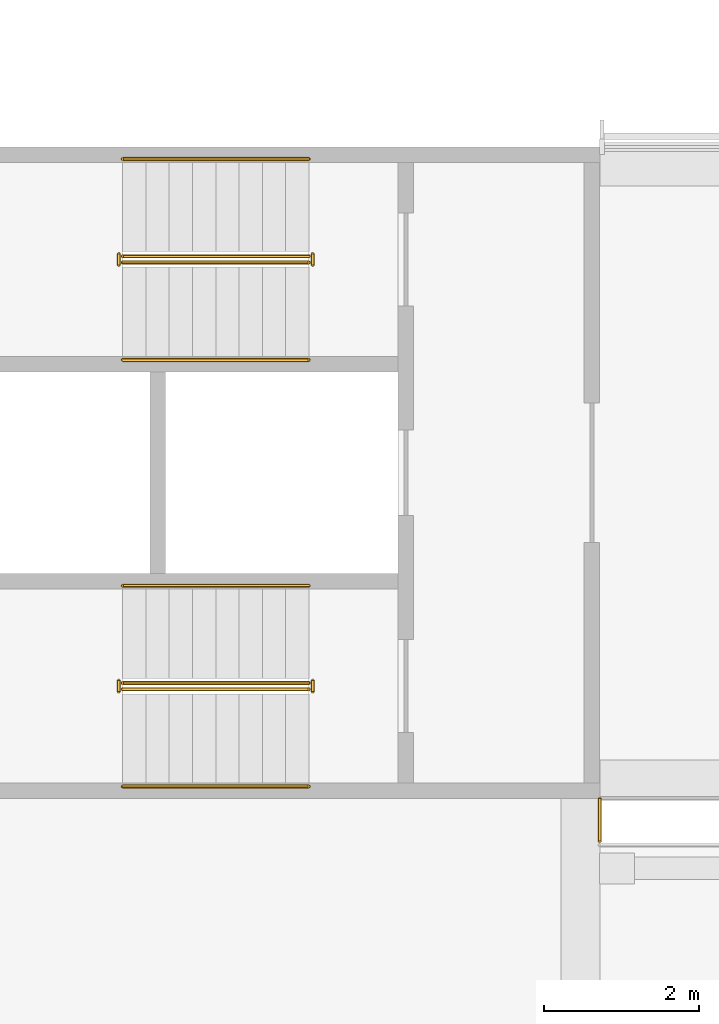
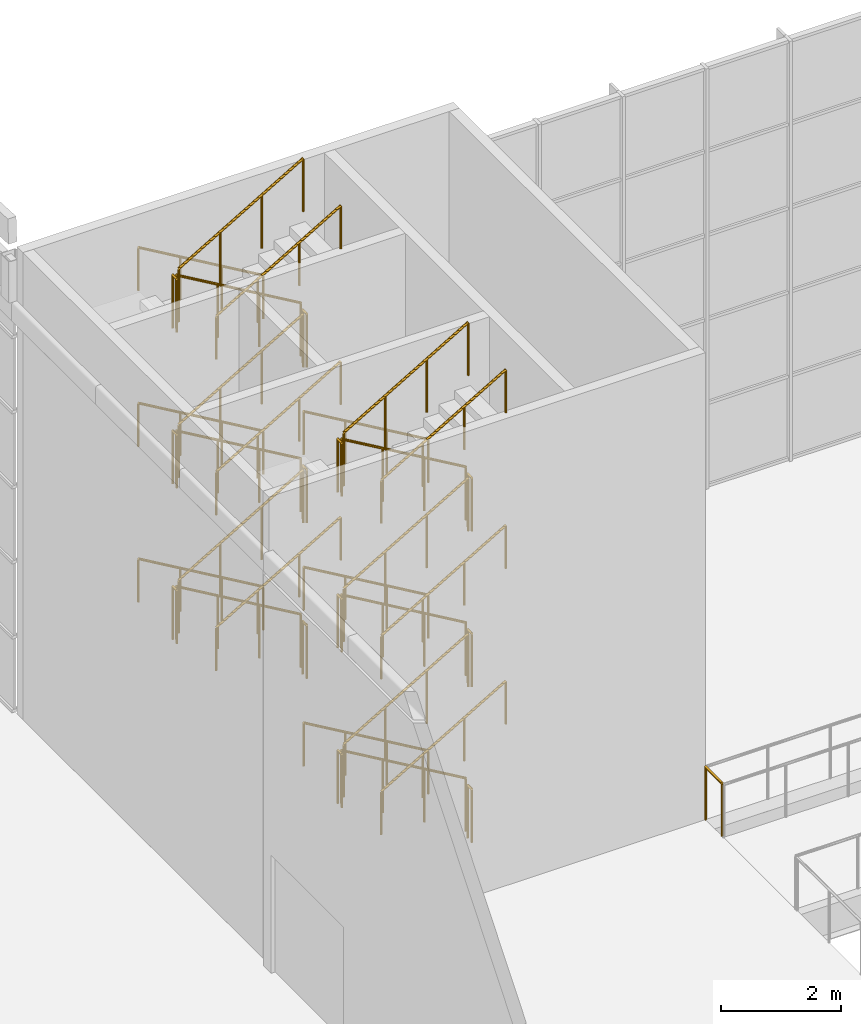
# One storey, part 104 of 114: 37 railings.
"""IFC4 building model written with IfcOpenShell, lengths in metres."""

from ifc_helpers import new_model, si_unit, direction, frame, origin, origin_2d, place, context, subcontext, project, spatial, circle, extrude, material, type_object, element, save


model = new_model("IFC4")

# Units and contexts
model_context = context("Model", 3, precision=1e-05, world=origin(), true_north=direction((0.0, 1.0)))
body_context = subcontext(model_context, "Body", "Model", "MODEL_VIEW")
ifc_project = project(units=[si_unit("LENGTHUNIT", "METRE"), si_unit("AREAUNIT", "SQUARE_METRE"), si_unit("VOLUMEUNIT", "CUBIC_METRE"), si_unit("PLANEANGLEUNIT", "RADIAN"), si_unit("MASSUNIT", "GRAM", prefix="KILO")], contexts=[model_context])

# Site, building, storey
site_placement = place(None, origin())
site = spatial("IfcSite", under=ifc_project, at=site_placement, CompositionType="ELEMENT")
building_placement = place(site_placement, origin())
building = spatial("IfcBuilding", under=site, at=building_placement, Name="Almond Square Museum", CompositionType="ELEMENT")
storey_placement = place(building_placement, frame((0.0, 0.0, 10.5)))
storey = spatial("IfcBuildingStorey", under=building, at=storey_placement, Name="L02", CompositionType="ELEMENT", Elevation=10.5)

# Railings
ifc_material_1 = material(Name="Laminated glass and stainless steel", Category="steel")
railing_type_1 = type_object("IfcRailingType", Name="Atrium guard 1100 glass balustrade", PredefinedType="GUARDRAIL", material=ifc_material_1)
railing_1_placement = place(storey_placement, frame((81.60009765625, 100.25, 0.0)))
element("IfcRailing", 1, at=railing_1_placement, inside=storey, type_object=railing_type_1, Name="L02 atrium guard 4", PredefinedType="GUARDRAIL", context=body_context, shape_type="SweptSolid", body=[
    extrude(circle(Radius=0.02392578125, at=origin_2d()), frame((0.0, 0.0, 1.076171875), z_axis=(0.0, 1.0, 0.0), x_axis=(-1.0, 0.0, 0.0)), (0.0, 0.0, 1.0), 0.550048828125),
    extrude(circle(Radius=0.02099609375, at=origin_2d()), origin(), (0.0, 0.0, 1.0), 1.052001953125),
    extrude(circle(Radius=0.02099609375, at=origin_2d()), frame((0.0, 0.550048828125, 0.0)), (0.0, 0.0, 1.0), 1.052001953125),
])
ifc_material_2 = material(Name="Stainless steel and laminated glass", Category="steel")
railing_type_2 = type_object("IfcRailingType", Name="Stair guard 1100 steel and glass", PredefinedType="GUARDRAIL", material=ifc_material_2)
railing_2_placement = place(storey_placement, frame((77.85009765625, 102.2900390625, 0.176025390625)))
element("IfcRailing", 2, at=railing_2_placement, inside=storey, type_object=railing_type_2, Name="L02 ST-09 stair guard 1", PredefinedType="GUARDRAIL", context=body_context, shape_type="SweptSolid", body=[
    extrude(circle(Radius=0.02392578125, at=origin_2d()), frame((0.0, 0.0, 1.076171875), z_axis=(-0.862659684245, 0.0, 0.505784805207), x_axis=(0.0, -1.0, 0.0)), (0.0, 0.0, 1.0), 2.7822265625),
    extrude(circle(Radius=0.02099609375, at=origin_2d()), origin(), (0.0, 0.0, 1.0), 1.052001953125),
    extrude(circle(Radius=0.02099609375, at=origin_2d()), frame((-0.800048828125, 0.0, 0.468994140625)), (0.0, 0.0, 1.0), 1.052001953125),
    extrude(circle(Radius=0.02099609375, at=origin_2d()), frame((-1.60009765625, 0.0, 0.938232421875)), (0.0, 0.0, 1.0), 1.052001953125),
    extrude(circle(Radius=0.02099609375, at=origin_2d()), frame((-2.400146484375, 0.0, 1.4072265625)), (0.0, 0.0, 1.0), 1.052001953125),
])
railing_3_placement = place(storey_placement, frame((75.39990234375, 102.320068359375, 1.583251953125)))
element("IfcRailing", 3, at=railing_3_placement, inside=storey, type_object=railing_type_2, Name="L02 ST-09 stair guard 2", PredefinedType="GUARDRAIL", context=body_context, shape_type="SweptSolid", body=[
    extrude(circle(Radius=0.02392578125, at=origin_2d()), frame((0.0, 0.0, 1.076171875), z_axis=(0.0, -1.0, 0.0), x_axis=(1.0, 0.0, 0.0)), (0.0, 0.0, 1.0), 0.14013671875),
    extrude(circle(Radius=0.02099609375, at=origin_2d()), origin(), (0.0, 0.0, 1.0), 1.052001953125),
    extrude(circle(Radius=0.02099609375, at=origin_2d()), frame((0.0, -0.14013671875, 0.0)), (0.0, 0.0, 1.0), 1.052001953125),
])
railing_4_placement = place(storey_placement, frame((75.449951171875, 102.2099609375, 1.75927734375)))
element("IfcRailing", 4, at=railing_4_placement, inside=storey, type_object=railing_type_2, Name="L02 ST-09 stair guard 3", PredefinedType="GUARDRAIL", context=body_context, shape_type="SweptSolid", body=[
    extrude(circle(Radius=0.02392578125, at=origin_2d()), frame((0.0, 0.0, 1.076171875), z_axis=(0.862621396848, 0.0, 0.505850102007), x_axis=(0.0, 1.0, 0.0)), (0.0, 0.0, 1.0), 2.782470703125),
    extrude(circle(Radius=0.02099609375, at=origin_2d()), origin(), (0.0, 0.0, 1.0), 1.052001953125),
    extrude(circle(Radius=0.02099609375, at=origin_2d()), frame((0.800048828125, 0.0, 0.46923828125)), (0.0, 0.0, 1.0), 1.052001953125),
    extrude(circle(Radius=0.02099609375, at=origin_2d()), frame((1.60009765625, 0.0, 0.938232421875)), (0.0, 0.0, 1.0), 1.052001953125),
    extrude(circle(Radius=0.02099609375, at=origin_2d()), frame((2.400146484375, 0.0, 1.407470703125)), (0.0, 0.0, 1.0), 1.052001953125),
])
railing_5_placement = place(storey_placement, frame((77.89990234375, 102.320068359375, 3.166748046875)))
element("IfcRailing", 5, at=railing_5_placement, inside=storey, type_object=railing_type_2, Name="L02 ST-09 stair guard 4", PredefinedType="GUARDRAIL", context=body_context, shape_type="SweptSolid", body=[
    extrude(circle(Radius=0.02392578125, at=origin_2d()), frame((0.0, 0.0, 1.076171875), z_axis=(0.0, -1.0, 0.0), x_axis=(1.0, 0.0, 0.0)), (0.0, 0.0, 1.0), 0.14013671875),
    extrude(circle(Radius=0.02099609375, at=origin_2d()), origin(), (0.0, 0.0, 1.0), 1.052001953125),
    extrude(circle(Radius=0.02099609375, at=origin_2d()), frame((0.0, -0.14013671875, 0.0)), (0.0, 0.0, 1.0), 1.052001953125),
])
railing_6_placement = place(storey_placement, frame((77.85009765625, 102.2900390625, 3.342529296875)))
element("IfcRailing", 6, at=railing_6_placement, inside=storey, type_object=railing_type_2, Name="L02 ST-09 stair guard 5", PredefinedType="GUARDRAIL", context=body_context, shape_type="SweptSolid", body=[
    extrude(circle(Radius=0.02392578125, at=origin_2d()), frame((0.0, 0.0, 1.076171875), z_axis=(-0.862621396848, 0.0, 0.505850102007), x_axis=(0.0, -1.0, 0.0)), (0.0, 0.0, 1.0), 2.782470703125),
    extrude(circle(Radius=0.02099609375, at=origin_2d()), origin(), (0.0, 0.0, 1.0), 1.052001953125),
    extrude(circle(Radius=0.02099609375, at=origin_2d()), frame((-0.800048828125, 0.0, 0.46923828125)), (0.0, 0.0, 1.0), 1.052001953125),
    extrude(circle(Radius=0.02099609375, at=origin_2d()), frame((-1.60009765625, 0.0, 0.938232421875)), (0.0, 0.0, 1.0), 1.052001953125),
    extrude(circle(Radius=0.02099609375, at=origin_2d()), frame((-2.400146484375, 0.0, 1.407470703125)), (0.0, 0.0, 1.0), 1.052001953125),
])
railing_7_placement = place(storey_placement, frame((75.39990234375, 102.320068359375, 4.75)))
element("IfcRailing", 7, at=railing_7_placement, inside=storey, type_object=railing_type_2, Name="L02 ST-09 stair guard 6", PredefinedType="GUARDRAIL", context=body_context, shape_type="SweptSolid", body=[
    extrude(circle(Radius=0.02392578125, at=origin_2d()), frame((0.0, 0.0, 1.076171875), z_axis=(0.0, -1.0, 0.0), x_axis=(1.0, 0.0, 0.0)), (0.0, 0.0, 1.0), 0.14013671875),
    extrude(circle(Radius=0.02099609375, at=origin_2d()), origin(), (0.0, 0.0, 1.0), 1.052001953125),
    extrude(circle(Radius=0.02099609375, at=origin_2d()), frame((0.0, -0.14013671875, 0.0)), (0.0, 0.0, 1.0), 1.052001953125),
])
railing_8_placement = place(storey_placement, frame((75.449951171875, 102.2099609375, 4.926025390625)))
element("IfcRailing", 8, at=railing_8_placement, inside=storey, type_object=railing_type_2, Name="L02 ST-09 stair guard 7", PredefinedType="GUARDRAIL", context=body_context, shape_type="SweptSolid", body=[
    extrude(circle(Radius=0.02392578125, at=origin_2d()), frame((0.0, 0.0, 1.076171875), z_axis=(0.862659684245, 0.0, 0.505784805207), x_axis=(0.0, 1.0, 0.0)), (0.0, 0.0, 1.0), 2.7822265625),
    extrude(circle(Radius=0.02099609375, at=origin_2d()), origin(), (0.0, 0.0, 1.0), 1.052001953125),
    extrude(circle(Radius=0.02099609375, at=origin_2d()), frame((0.800048828125, 0.0, 0.468994140625)), (0.0, 0.0, 1.0), 1.052001953125),
    extrude(circle(Radius=0.02099609375, at=origin_2d()), frame((1.60009765625, 0.0, 0.938232421875)), (0.0, 0.0, 1.0), 1.052001953125),
    extrude(circle(Radius=0.02099609375, at=origin_2d()), frame((2.400146484375, 0.0, 1.4072265625)), (0.0, 0.0, 1.0), 1.052001953125),
])
railing_9_placement = place(storey_placement, frame((77.89990234375, 102.320068359375, 6.333251953125)))
element("IfcRailing", 9, at=railing_9_placement, inside=storey, type_object=railing_type_2, Name="L02 ST-09 stair guard 8", PredefinedType="GUARDRAIL", context=body_context, shape_type="SweptSolid", body=[
    extrude(circle(Radius=0.02392578125, at=origin_2d()), frame((0.0, 0.0, 1.076171875), z_axis=(0.0, -1.0, 0.0), x_axis=(1.0, 0.0, 0.0)), (0.0, 0.0, 1.0), 0.14013671875),
    extrude(circle(Radius=0.02099609375, at=origin_2d()), origin(), (0.0, 0.0, 1.0), 1.052001953125),
    extrude(circle(Radius=0.02099609375, at=origin_2d()), frame((0.0, -0.14013671875, 0.0)), (0.0, 0.0, 1.0), 1.052001953125),
])
railing_10_placement = place(storey_placement, frame((77.85009765625, 102.2900390625, 6.50927734375)))
element("IfcRailing", 10, at=railing_10_placement, inside=storey, type_object=railing_type_2, Name="L02 ST-09 stair guard 9", PredefinedType="GUARDRAIL", context=body_context, shape_type="SweptSolid", body=[
    extrude(circle(Radius=0.02392578125, at=origin_2d()), frame((0.0, 0.0, 1.076171875), z_axis=(-0.862621396848, 0.0, 0.505850102007), x_axis=(0.0, -1.0, 0.0)), (0.0, 0.0, 1.0), 2.782470703125),
    extrude(circle(Radius=0.02099609375, at=origin_2d()), origin(), (0.0, 0.0, 1.0), 1.052001953125),
    extrude(circle(Radius=0.02099609375, at=origin_2d()), frame((-0.800048828125, 0.0, 0.46923828125)), (0.0, 0.0, 1.0), 1.052001953125),
    extrude(circle(Radius=0.02099609375, at=origin_2d()), frame((-1.60009765625, 0.0, 0.938232421875)), (0.0, 0.0, 1.0), 1.052001953125),
    extrude(circle(Radius=0.02099609375, at=origin_2d()), frame((-2.400146484375, 0.0, 1.407470703125)), (0.0, 0.0, 1.0), 1.052001953125),
])
railing_11_placement = place(storey_placement, frame((75.39990234375, 102.320068359375, 7.916748046875)))
element("IfcRailing", 11, at=railing_11_placement, inside=storey, type_object=railing_type_2, Name="L02 ST-09 stair guard 10", PredefinedType="GUARDRAIL", context=body_context, shape_type="SweptSolid", body=[
    extrude(circle(Radius=0.02392578125, at=origin_2d()), frame((0.0, 0.0, 1.076171875), z_axis=(0.0, -1.0, 0.0), x_axis=(1.0, 0.0, 0.0)), (0.0, 0.0, 1.0), 0.14013671875),
    extrude(circle(Radius=0.02099609375, at=origin_2d()), origin(), (0.0, 0.0, 1.0), 1.052001953125),
    extrude(circle(Radius=0.02099609375, at=origin_2d()), frame((0.0, -0.14013671875, 0.0)), (0.0, 0.0, 1.0), 1.052001953125),
])
railing_12_placement = place(storey_placement, frame((75.449951171875, 102.2099609375, 8.092529296875)))
element("IfcRailing", 12, at=railing_12_placement, inside=storey, type_object=railing_type_2, Name="L02 ST-09 stair guard 11", PredefinedType="GUARDRAIL", context=body_context, shape_type="SweptSolid", body=[
    extrude(circle(Radius=0.02392578125, at=origin_2d()), frame((0.0, 0.0, 1.076171875), z_axis=(0.862621396848, 0.0, 0.505850102007), x_axis=(0.0, 1.0, 0.0)), (0.0, 0.0, 1.0), 2.782470703125),
    extrude(circle(Radius=0.02099609375, at=origin_2d()), origin(), (0.0, 0.0, 1.0), 1.052001953125),
    extrude(circle(Radius=0.02099609375, at=origin_2d()), frame((0.800048828125, 0.0, 0.46923828125)), (0.0, 0.0, 1.0), 1.052001953125),
    extrude(circle(Radius=0.02099609375, at=origin_2d()), frame((1.60009765625, 0.0, 0.938232421875)), (0.0, 0.0, 1.0), 1.052001953125),
    extrude(circle(Radius=0.02099609375, at=origin_2d()), frame((2.400146484375, 0.0, 1.407470703125)), (0.0, 0.0, 1.0), 1.052001953125),
])
railing_13_placement = place(storey_placement, frame((77.89990234375, 102.320068359375, 0.0)))
element("IfcRailing", 13, at=railing_13_placement, inside=storey, type_object=railing_type_2, Name="L02 ST-09 stair guard 12", PredefinedType="GUARDRAIL", context=body_context, shape_type="SweptSolid", body=[
    extrude(circle(Radius=0.02392578125, at=origin_2d()), frame((0.0, 0.0, 1.076171875), z_axis=(0.0, -1.0, 0.0), x_axis=(1.0, 0.0, 0.0)), (0.0, 0.0, 1.0), 0.14013671875),
    extrude(circle(Radius=0.02099609375, at=origin_2d()), origin(), (0.0, 0.0, 1.0), 1.052001953125),
    extrude(circle(Radius=0.02099609375, at=origin_2d()), frame((0.0, -0.14013671875, 0.0)), (0.0, 0.0, 1.0), 1.052001953125),
])
railing_14_placement = place(storey_placement, frame((77.85009765625, 107.7900390625, 0.176025390625)))
element("IfcRailing", 14, at=railing_14_placement, inside=storey, type_object=railing_type_2, Name="L02 ST-10 stair guard 1", PredefinedType="GUARDRAIL", context=body_context, shape_type="SweptSolid", body=[
    extrude(circle(Radius=0.02392578125, at=origin_2d()), frame((0.0, 0.0, 1.076171875), z_axis=(-0.862659684245, 0.0, 0.505784805207), x_axis=(0.0, -1.0, 0.0)), (0.0, 0.0, 1.0), 2.7822265625),
    extrude(circle(Radius=0.02099609375, at=origin_2d()), origin(), (0.0, 0.0, 1.0), 1.052001953125),
    extrude(circle(Radius=0.02099609375, at=origin_2d()), frame((-0.800048828125, 0.0, 0.468994140625)), (0.0, 0.0, 1.0), 1.052001953125),
    extrude(circle(Radius=0.02099609375, at=origin_2d()), frame((-1.60009765625, 0.0, 0.938232421875)), (0.0, 0.0, 1.0), 1.052001953125),
    extrude(circle(Radius=0.02099609375, at=origin_2d()), frame((-2.400146484375, 0.0, 1.4072265625)), (0.0, 0.0, 1.0), 1.052001953125),
])
railing_15_placement = place(storey_placement, frame((75.39990234375, 107.820068359375, 1.583251953125)))
element("IfcRailing", 15, at=railing_15_placement, inside=storey, type_object=railing_type_2, Name="L02 ST-10 stair guard 2", PredefinedType="GUARDRAIL", context=body_context, shape_type="SweptSolid", body=[
    extrude(circle(Radius=0.02392578125, at=origin_2d()), frame((0.0, 0.0, 1.076171875), z_axis=(0.0, -1.0, 0.0), x_axis=(1.0, 0.0, 0.0)), (0.0, 0.0, 1.0), 0.14013671875),
    extrude(circle(Radius=0.02099609375, at=origin_2d()), origin(), (0.0, 0.0, 1.0), 1.052001953125),
    extrude(circle(Radius=0.02099609375, at=origin_2d()), frame((0.0, -0.14013671875, 0.0)), (0.0, 0.0, 1.0), 1.052001953125),
])
railing_16_placement = place(storey_placement, frame((75.449951171875, 107.7099609375, 1.75927734375)))
element("IfcRailing", 16, at=railing_16_placement, inside=storey, type_object=railing_type_2, Name="L02 ST-10 stair guard 3", PredefinedType="GUARDRAIL", context=body_context, shape_type="SweptSolid", body=[
    extrude(circle(Radius=0.02392578125, at=origin_2d()), frame((0.0, 0.0, 1.076171875), z_axis=(0.862621396848, 0.0, 0.505850102007), x_axis=(0.0, 1.0, 0.0)), (0.0, 0.0, 1.0), 2.782470703125),
    extrude(circle(Radius=0.02099609375, at=origin_2d()), origin(), (0.0, 0.0, 1.0), 1.052001953125),
    extrude(circle(Radius=0.02099609375, at=origin_2d()), frame((0.800048828125, 0.0, 0.46923828125)), (0.0, 0.0, 1.0), 1.052001953125),
    extrude(circle(Radius=0.02099609375, at=origin_2d()), frame((1.60009765625, 0.0, 0.938232421875)), (0.0, 0.0, 1.0), 1.052001953125),
    extrude(circle(Radius=0.02099609375, at=origin_2d()), frame((2.400146484375, 0.0, 1.407470703125)), (0.0, 0.0, 1.0), 1.052001953125),
])
railing_17_placement = place(storey_placement, frame((77.89990234375, 107.820068359375, 3.166748046875)))
element("IfcRailing", 17, at=railing_17_placement, inside=storey, type_object=railing_type_2, Name="L02 ST-10 stair guard 4", PredefinedType="GUARDRAIL", context=body_context, shape_type="SweptSolid", body=[
    extrude(circle(Radius=0.02392578125, at=origin_2d()), frame((0.0, 0.0, 1.076171875), z_axis=(0.0, -1.0, 0.0), x_axis=(1.0, 0.0, 0.0)), (0.0, 0.0, 1.0), 0.14013671875),
    extrude(circle(Radius=0.02099609375, at=origin_2d()), origin(), (0.0, 0.0, 1.0), 1.052001953125),
    extrude(circle(Radius=0.02099609375, at=origin_2d()), frame((0.0, -0.14013671875, 0.0)), (0.0, 0.0, 1.0), 1.052001953125),
])
railing_18_placement = place(storey_placement, frame((77.85009765625, 107.7900390625, 3.342529296875)))
element("IfcRailing", 18, at=railing_18_placement, inside=storey, type_object=railing_type_2, Name="L02 ST-10 stair guard 5", PredefinedType="GUARDRAIL", context=body_context, shape_type="SweptSolid", body=[
    extrude(circle(Radius=0.02392578125, at=origin_2d()), frame((0.0, 0.0, 1.076171875), z_axis=(-0.862621396848, 0.0, 0.505850102007), x_axis=(0.0, -1.0, 0.0)), (0.0, 0.0, 1.0), 2.782470703125),
    extrude(circle(Radius=0.02099609375, at=origin_2d()), origin(), (0.0, 0.0, 1.0), 1.052001953125),
    extrude(circle(Radius=0.02099609375, at=origin_2d()), frame((-0.800048828125, 0.0, 0.46923828125)), (0.0, 0.0, 1.0), 1.052001953125),
    extrude(circle(Radius=0.02099609375, at=origin_2d()), frame((-1.60009765625, 0.0, 0.938232421875)), (0.0, 0.0, 1.0), 1.052001953125),
    extrude(circle(Radius=0.02099609375, at=origin_2d()), frame((-2.400146484375, 0.0, 1.407470703125)), (0.0, 0.0, 1.0), 1.052001953125),
])
railing_19_placement = place(storey_placement, frame((75.39990234375, 107.820068359375, 4.75)))
element("IfcRailing", 19, at=railing_19_placement, inside=storey, type_object=railing_type_2, Name="L02 ST-10 stair guard 6", PredefinedType="GUARDRAIL", context=body_context, shape_type="SweptSolid", body=[
    extrude(circle(Radius=0.02392578125, at=origin_2d()), frame((0.0, 0.0, 1.076171875), z_axis=(0.0, -1.0, 0.0), x_axis=(1.0, 0.0, 0.0)), (0.0, 0.0, 1.0), 0.14013671875),
    extrude(circle(Radius=0.02099609375, at=origin_2d()), origin(), (0.0, 0.0, 1.0), 1.052001953125),
    extrude(circle(Radius=0.02099609375, at=origin_2d()), frame((0.0, -0.14013671875, 0.0)), (0.0, 0.0, 1.0), 1.052001953125),
])
railing_20_placement = place(storey_placement, frame((75.449951171875, 107.7099609375, 4.926025390625)))
element("IfcRailing", 20, at=railing_20_placement, inside=storey, type_object=railing_type_2, Name="L02 ST-10 stair guard 7", PredefinedType="GUARDRAIL", context=body_context, shape_type="SweptSolid", body=[
    extrude(circle(Radius=0.02392578125, at=origin_2d()), frame((0.0, 0.0, 1.076171875), z_axis=(0.862659684245, 0.0, 0.505784805207), x_axis=(0.0, 1.0, 0.0)), (0.0, 0.0, 1.0), 2.7822265625),
    extrude(circle(Radius=0.02099609375, at=origin_2d()), origin(), (0.0, 0.0, 1.0), 1.052001953125),
    extrude(circle(Radius=0.02099609375, at=origin_2d()), frame((0.800048828125, 0.0, 0.468994140625)), (0.0, 0.0, 1.0), 1.052001953125),
    extrude(circle(Radius=0.02099609375, at=origin_2d()), frame((1.60009765625, 0.0, 0.938232421875)), (0.0, 0.0, 1.0), 1.052001953125),
    extrude(circle(Radius=0.02099609375, at=origin_2d()), frame((2.400146484375, 0.0, 1.4072265625)), (0.0, 0.0, 1.0), 1.052001953125),
])
railing_21_placement = place(storey_placement, frame((77.89990234375, 107.820068359375, 6.333251953125)))
element("IfcRailing", 21, at=railing_21_placement, inside=storey, type_object=railing_type_2, Name="L02 ST-10 stair guard 8", PredefinedType="GUARDRAIL", context=body_context, shape_type="SweptSolid", body=[
    extrude(circle(Radius=0.02392578125, at=origin_2d()), frame((0.0, 0.0, 1.076171875), z_axis=(0.0, -1.0, 0.0), x_axis=(1.0, 0.0, 0.0)), (0.0, 0.0, 1.0), 0.14013671875),
    extrude(circle(Radius=0.02099609375, at=origin_2d()), origin(), (0.0, 0.0, 1.0), 1.052001953125),
    extrude(circle(Radius=0.02099609375, at=origin_2d()), frame((0.0, -0.14013671875, 0.0)), (0.0, 0.0, 1.0), 1.052001953125),
])
railing_22_placement = place(storey_placement, frame((77.85009765625, 107.7900390625, 6.50927734375)))
element("IfcRailing", 22, at=railing_22_placement, inside=storey, type_object=railing_type_2, Name="L02 ST-10 stair guard 9", PredefinedType="GUARDRAIL", context=body_context, shape_type="SweptSolid", body=[
    extrude(circle(Radius=0.02392578125, at=origin_2d()), frame((0.0, 0.0, 1.076171875), z_axis=(-0.862621396848, 0.0, 0.505850102007), x_axis=(0.0, -1.0, 0.0)), (0.0, 0.0, 1.0), 2.782470703125),
    extrude(circle(Radius=0.02099609375, at=origin_2d()), origin(), (0.0, 0.0, 1.0), 1.052001953125),
    extrude(circle(Radius=0.02099609375, at=origin_2d()), frame((-0.800048828125, 0.0, 0.46923828125)), (0.0, 0.0, 1.0), 1.052001953125),
    extrude(circle(Radius=0.02099609375, at=origin_2d()), frame((-1.60009765625, 0.0, 0.938232421875)), (0.0, 0.0, 1.0), 1.052001953125),
    extrude(circle(Radius=0.02099609375, at=origin_2d()), frame((-2.400146484375, 0.0, 1.407470703125)), (0.0, 0.0, 1.0), 1.052001953125),
])
railing_23_placement = place(storey_placement, frame((75.39990234375, 107.820068359375, 7.916748046875)))
element("IfcRailing", 23, at=railing_23_placement, inside=storey, type_object=railing_type_2, Name="L02 ST-10 stair guard 10", PredefinedType="GUARDRAIL", context=body_context, shape_type="SweptSolid", body=[
    extrude(circle(Radius=0.02392578125, at=origin_2d()), frame((0.0, 0.0, 1.076171875), z_axis=(0.0, -1.0, 0.0), x_axis=(1.0, 0.0, 0.0)), (0.0, 0.0, 1.0), 0.14013671875),
    extrude(circle(Radius=0.02099609375, at=origin_2d()), origin(), (0.0, 0.0, 1.0), 1.052001953125),
    extrude(circle(Radius=0.02099609375, at=origin_2d()), frame((0.0, -0.14013671875, 0.0)), (0.0, 0.0, 1.0), 1.052001953125),
])
railing_24_placement = place(storey_placement, frame((75.449951171875, 107.7099609375, 8.092529296875)))
element("IfcRailing", 24, at=railing_24_placement, inside=storey, type_object=railing_type_2, Name="L02 ST-10 stair guard 11", PredefinedType="GUARDRAIL", context=body_context, shape_type="SweptSolid", body=[
    extrude(circle(Radius=0.02392578125, at=origin_2d()), frame((0.0, 0.0, 1.076171875), z_axis=(0.862621396848, 0.0, 0.505850102007), x_axis=(0.0, 1.0, 0.0)), (0.0, 0.0, 1.0), 2.782470703125),
    extrude(circle(Radius=0.02099609375, at=origin_2d()), origin(), (0.0, 0.0, 1.0), 1.052001953125),
    extrude(circle(Radius=0.02099609375, at=origin_2d()), frame((0.800048828125, 0.0, 0.46923828125)), (0.0, 0.0, 1.0), 1.052001953125),
    extrude(circle(Radius=0.02099609375, at=origin_2d()), frame((1.60009765625, 0.0, 0.938232421875)), (0.0, 0.0, 1.0), 1.052001953125),
    extrude(circle(Radius=0.02099609375, at=origin_2d()), frame((2.400146484375, 0.0, 1.407470703125)), (0.0, 0.0, 1.0), 1.052001953125),
])
railing_25_placement = place(storey_placement, frame((77.89990234375, 107.820068359375, 0.0)))
element("IfcRailing", 25, at=railing_25_placement, inside=storey, type_object=railing_type_2, Name="L02 ST-10 stair guard 12", PredefinedType="GUARDRAIL", context=body_context, shape_type="SweptSolid", body=[
    extrude(circle(Radius=0.02392578125, at=origin_2d()), frame((0.0, 0.0, 1.076171875), z_axis=(0.0, -1.0, 0.0), x_axis=(1.0, 0.0, 0.0)), (0.0, 0.0, 1.0), 0.14013671875),
    extrude(circle(Radius=0.02099609375, at=origin_2d()), origin(), (0.0, 0.0, 1.0), 1.052001953125),
    extrude(circle(Radius=0.02099609375, at=origin_2d()), frame((0.0, -0.14013671875, 0.0)), (0.0, 0.0, 1.0), 1.052001953125),
])
ifc_material_3 = material(Name="Stainless steel", Category="steel")
railing_type_3 = type_object("IfcRailingType", Name="Stair handrail 900 steel", PredefinedType="HANDRAIL", material=ifc_material_3)
railing_26_placement = place(storey_placement, frame((77.85009765625, 103.544921875, 0.176025390625)))
element("IfcRailing", 26, at=railing_26_placement, inside=storey, type_object=railing_type_3, Name="L02 ST-09 stair handrail 1", PredefinedType="HANDRAIL", context=body_context, shape_type="SweptSolid", body=[
    extrude(circle(Radius=0.02392578125, at=origin_2d()), frame((0.0, 0.0, 0.8759765625), z_axis=(-0.862659684245, 0.0, 0.505784805207), x_axis=(0.0, -1.0, 0.0)), (0.0, 0.0, 1.0), 2.7822265625),
    extrude(circle(Radius=0.02099609375, at=origin_2d()), origin(), (0.0, 0.0, 1.0), 0.851806640625),
    extrude(circle(Radius=0.02099609375, at=origin_2d()), frame((-0.800048828125, 0.0, 0.468994140625)), (0.0, 0.0, 1.0), 0.851806640625),
    extrude(circle(Radius=0.02099609375, at=origin_2d()), frame((-1.60009765625, 0.0, 0.938232421875)), (0.0, 0.0, 1.0), 0.851806640625),
    extrude(circle(Radius=0.02099609375, at=origin_2d()), frame((-2.400146484375, 0.0, 1.4072265625)), (0.0, 0.0, 1.0), 0.851806640625),
])
railing_27_placement = place(storey_placement, frame((75.449951171875, 100.955078125, 1.75927734375)))
element("IfcRailing", 27, at=railing_27_placement, inside=storey, type_object=railing_type_3, Name="L02 ST-09 stair handrail 2", PredefinedType="HANDRAIL", context=body_context, shape_type="SweptSolid", body=[
    extrude(circle(Radius=0.02392578125, at=origin_2d()), frame((0.0, 0.0, 0.8759765625), z_axis=(0.862621396848, 0.0, 0.505850102007), x_axis=(0.0, 1.0, 0.0)), (0.0, 0.0, 1.0), 2.782470703125),
    extrude(circle(Radius=0.02099609375, at=origin_2d()), origin(), (0.0, 0.0, 1.0), 0.851806640625),
    extrude(circle(Radius=0.02099609375, at=origin_2d()), frame((0.800048828125, 0.0, 0.46923828125)), (0.0, 0.0, 1.0), 0.851806640625),
    extrude(circle(Radius=0.02099609375, at=origin_2d()), frame((1.60009765625, 0.0, 0.938232421875)), (0.0, 0.0, 1.0), 0.851806640625),
    extrude(circle(Radius=0.02099609375, at=origin_2d()), frame((2.400146484375, 0.0, 1.407470703125)), (0.0, 0.0, 1.0), 0.851806640625),
])
railing_28_placement = place(storey_placement, frame((77.85009765625, 103.544921875, 3.342529296875)))
element("IfcRailing", 28, at=railing_28_placement, inside=storey, type_object=railing_type_3, Name="L02 ST-09 stair handrail 3", PredefinedType="HANDRAIL", context=body_context, shape_type="SweptSolid", body=[
    extrude(circle(Radius=0.02392578125, at=origin_2d()), frame((0.0, 0.0, 0.8759765625), z_axis=(-0.862621396848, 0.0, 0.505850102007), x_axis=(0.0, -1.0, 0.0)), (0.0, 0.0, 1.0), 2.782470703125),
    extrude(circle(Radius=0.02099609375, at=origin_2d()), origin(), (0.0, 0.0, 1.0), 0.851806640625),
    extrude(circle(Radius=0.02099609375, at=origin_2d()), frame((-0.800048828125, 0.0, 0.46923828125)), (0.0, 0.0, 1.0), 0.851806640625),
    extrude(circle(Radius=0.02099609375, at=origin_2d()), frame((-1.60009765625, 0.0, 0.938232421875)), (0.0, 0.0, 1.0), 0.851806640625),
    extrude(circle(Radius=0.02099609375, at=origin_2d()), frame((-2.400146484375, 0.0, 1.407470703125)), (0.0, 0.0, 1.0), 0.851806640625),
])
railing_29_placement = place(storey_placement, frame((75.449951171875, 100.955078125, 4.926025390625)))
element("IfcRailing", 29, at=railing_29_placement, inside=storey, type_object=railing_type_3, Name="L02 ST-09 stair handrail 4", PredefinedType="HANDRAIL", context=body_context, shape_type="SweptSolid", body=[
    extrude(circle(Radius=0.02392578125, at=origin_2d()), frame((0.0, 0.0, 0.8759765625), z_axis=(0.862659684245, 0.0, 0.505784805207), x_axis=(0.0, 1.0, 0.0)), (0.0, 0.0, 1.0), 2.7822265625),
    extrude(circle(Radius=0.02099609375, at=origin_2d()), origin(), (0.0, 0.0, 1.0), 0.851806640625),
    extrude(circle(Radius=0.02099609375, at=origin_2d()), frame((0.800048828125, 0.0, 0.468994140625)), (0.0, 0.0, 1.0), 0.851806640625),
    extrude(circle(Radius=0.02099609375, at=origin_2d()), frame((1.60009765625, 0.0, 0.938232421875)), (0.0, 0.0, 1.0), 0.851806640625),
    extrude(circle(Radius=0.02099609375, at=origin_2d()), frame((2.400146484375, 0.0, 1.4072265625)), (0.0, 0.0, 1.0), 0.851806640625),
])
railing_30_placement = place(storey_placement, frame((77.85009765625, 103.544921875, 6.50927734375)))
element("IfcRailing", 30, at=railing_30_placement, inside=storey, type_object=railing_type_3, Name="L02 ST-09 stair handrail 5", PredefinedType="HANDRAIL", context=body_context, shape_type="SweptSolid", body=[
    extrude(circle(Radius=0.02392578125, at=origin_2d()), frame((0.0, 0.0, 0.8759765625), z_axis=(-0.862621396848, 0.0, 0.505850102007), x_axis=(0.0, -1.0, 0.0)), (0.0, 0.0, 1.0), 2.782470703125),
    extrude(circle(Radius=0.02099609375, at=origin_2d()), origin(), (0.0, 0.0, 1.0), 0.851806640625),
    extrude(circle(Radius=0.02099609375, at=origin_2d()), frame((-0.800048828125, 0.0, 0.46923828125)), (0.0, 0.0, 1.0), 0.851806640625),
    extrude(circle(Radius=0.02099609375, at=origin_2d()), frame((-1.60009765625, 0.0, 0.938232421875)), (0.0, 0.0, 1.0), 0.851806640625),
    extrude(circle(Radius=0.02099609375, at=origin_2d()), frame((-2.400146484375, 0.0, 1.407470703125)), (0.0, 0.0, 1.0), 0.851806640625),
])
railing_31_placement = place(storey_placement, frame((75.449951171875, 100.955078125, 8.092529296875)))
element("IfcRailing", 31, at=railing_31_placement, inside=storey, type_object=railing_type_3, Name="L02 ST-09 stair handrail 6", PredefinedType="HANDRAIL", context=body_context, shape_type="SweptSolid", body=[
    extrude(circle(Radius=0.02392578125, at=origin_2d()), frame((0.0, 0.0, 0.8759765625), z_axis=(0.862621396848, 0.0, 0.505850102007), x_axis=(0.0, 1.0, 0.0)), (0.0, 0.0, 1.0), 2.782470703125),
    extrude(circle(Radius=0.02099609375, at=origin_2d()), origin(), (0.0, 0.0, 1.0), 0.851806640625),
    extrude(circle(Radius=0.02099609375, at=origin_2d()), frame((0.800048828125, 0.0, 0.46923828125)), (0.0, 0.0, 1.0), 0.851806640625),
    extrude(circle(Radius=0.02099609375, at=origin_2d()), frame((1.60009765625, 0.0, 0.938232421875)), (0.0, 0.0, 1.0), 0.851806640625),
    extrude(circle(Radius=0.02099609375, at=origin_2d()), frame((2.400146484375, 0.0, 1.407470703125)), (0.0, 0.0, 1.0), 0.851806640625),
])
railing_32_placement = place(storey_placement, frame((77.85009765625, 109.044921875, 0.176025390625)))
element("IfcRailing", 32, at=railing_32_placement, inside=storey, type_object=railing_type_3, Name="L02 ST-10 stair handrail 1", PredefinedType="HANDRAIL", context=body_context, shape_type="SweptSolid", body=[
    extrude(circle(Radius=0.02392578125, at=origin_2d()), frame((0.0, 0.0, 0.8759765625), z_axis=(-0.862659684245, 0.0, 0.505784805207), x_axis=(0.0, -1.0, 0.0)), (0.0, 0.0, 1.0), 2.7822265625),
    extrude(circle(Radius=0.02099609375, at=origin_2d()), origin(), (0.0, 0.0, 1.0), 0.851806640625),
    extrude(circle(Radius=0.02099609375, at=origin_2d()), frame((-0.800048828125, 0.0, 0.468994140625)), (0.0, 0.0, 1.0), 0.851806640625),
    extrude(circle(Radius=0.02099609375, at=origin_2d()), frame((-1.60009765625, 0.0, 0.938232421875)), (0.0, 0.0, 1.0), 0.851806640625),
    extrude(circle(Radius=0.02099609375, at=origin_2d()), frame((-2.400146484375, 0.0, 1.4072265625)), (0.0, 0.0, 1.0), 0.851806640625),
])
railing_33_placement = place(storey_placement, frame((75.449951171875, 106.455078125, 1.75927734375)))
element("IfcRailing", 33, at=railing_33_placement, inside=storey, type_object=railing_type_3, Name="L02 ST-10 stair handrail 2", PredefinedType="HANDRAIL", context=body_context, shape_type="SweptSolid", body=[
    extrude(circle(Radius=0.02392578125, at=origin_2d()), frame((0.0, 0.0, 0.8759765625), z_axis=(0.862621396848, 0.0, 0.505850102007), x_axis=(0.0, 1.0, 0.0)), (0.0, 0.0, 1.0), 2.782470703125),
    extrude(circle(Radius=0.02099609375, at=origin_2d()), origin(), (0.0, 0.0, 1.0), 0.851806640625),
    extrude(circle(Radius=0.02099609375, at=origin_2d()), frame((0.800048828125, 0.0, 0.46923828125)), (0.0, 0.0, 1.0), 0.851806640625),
    extrude(circle(Radius=0.02099609375, at=origin_2d()), frame((1.60009765625, 0.0, 0.938232421875)), (0.0, 0.0, 1.0), 0.851806640625),
    extrude(circle(Radius=0.02099609375, at=origin_2d()), frame((2.400146484375, 0.0, 1.407470703125)), (0.0, 0.0, 1.0), 0.851806640625),
])
railing_34_placement = place(storey_placement, frame((77.85009765625, 109.044921875, 3.342529296875)))
element("IfcRailing", 34, at=railing_34_placement, inside=storey, type_object=railing_type_3, Name="L02 ST-10 stair handrail 3", PredefinedType="HANDRAIL", context=body_context, shape_type="SweptSolid", body=[
    extrude(circle(Radius=0.02392578125, at=origin_2d()), frame((0.0, 0.0, 0.8759765625), z_axis=(-0.862621396848, 0.0, 0.505850102007), x_axis=(0.0, -1.0, 0.0)), (0.0, 0.0, 1.0), 2.782470703125),
    extrude(circle(Radius=0.02099609375, at=origin_2d()), origin(), (0.0, 0.0, 1.0), 0.851806640625),
    extrude(circle(Radius=0.02099609375, at=origin_2d()), frame((-0.800048828125, 0.0, 0.46923828125)), (0.0, 0.0, 1.0), 0.851806640625),
    extrude(circle(Radius=0.02099609375, at=origin_2d()), frame((-1.60009765625, 0.0, 0.938232421875)), (0.0, 0.0, 1.0), 0.851806640625),
    extrude(circle(Radius=0.02099609375, at=origin_2d()), frame((-2.400146484375, 0.0, 1.407470703125)), (0.0, 0.0, 1.0), 0.851806640625),
])
railing_35_placement = place(storey_placement, frame((75.449951171875, 106.455078125, 4.926025390625)))
element("IfcRailing", 35, at=railing_35_placement, inside=storey, type_object=railing_type_3, Name="L02 ST-10 stair handrail 4", PredefinedType="HANDRAIL", context=body_context, shape_type="SweptSolid", body=[
    extrude(circle(Radius=0.02392578125, at=origin_2d()), frame((0.0, 0.0, 0.8759765625), z_axis=(0.862659684245, 0.0, 0.505784805207), x_axis=(0.0, 1.0, 0.0)), (0.0, 0.0, 1.0), 2.7822265625),
    extrude(circle(Radius=0.02099609375, at=origin_2d()), origin(), (0.0, 0.0, 1.0), 0.851806640625),
    extrude(circle(Radius=0.02099609375, at=origin_2d()), frame((0.800048828125, 0.0, 0.468994140625)), (0.0, 0.0, 1.0), 0.851806640625),
    extrude(circle(Radius=0.02099609375, at=origin_2d()), frame((1.60009765625, 0.0, 0.938232421875)), (0.0, 0.0, 1.0), 0.851806640625),
    extrude(circle(Radius=0.02099609375, at=origin_2d()), frame((2.400146484375, 0.0, 1.4072265625)), (0.0, 0.0, 1.0), 0.851806640625),
])
railing_36_placement = place(storey_placement, frame((77.85009765625, 109.044921875, 6.50927734375)))
element("IfcRailing", 36, at=railing_36_placement, inside=storey, type_object=railing_type_3, Name="L02 ST-10 stair handrail 5", PredefinedType="HANDRAIL", context=body_context, shape_type="SweptSolid", body=[
    extrude(circle(Radius=0.02392578125, at=origin_2d()), frame((0.0, 0.0, 0.8759765625), z_axis=(-0.862621396848, 0.0, 0.505850102007), x_axis=(0.0, -1.0, 0.0)), (0.0, 0.0, 1.0), 2.782470703125),
    extrude(circle(Radius=0.02099609375, at=origin_2d()), origin(), (0.0, 0.0, 1.0), 0.851806640625),
    extrude(circle(Radius=0.02099609375, at=origin_2d()), frame((-0.800048828125, 0.0, 0.46923828125)), (0.0, 0.0, 1.0), 0.851806640625),
    extrude(circle(Radius=0.02099609375, at=origin_2d()), frame((-1.60009765625, 0.0, 0.938232421875)), (0.0, 0.0, 1.0), 0.851806640625),
    extrude(circle(Radius=0.02099609375, at=origin_2d()), frame((-2.400146484375, 0.0, 1.407470703125)), (0.0, 0.0, 1.0), 0.851806640625),
])
railing_37_placement = place(storey_placement, frame((75.449951171875, 106.455078125, 8.092529296875)))
element("IfcRailing", 37, at=railing_37_placement, inside=storey, type_object=railing_type_3, Name="L02 ST-10 stair handrail 6", PredefinedType="HANDRAIL", context=body_context, shape_type="SweptSolid", body=[
    extrude(circle(Radius=0.02392578125, at=origin_2d()), frame((0.0, 0.0, 0.8759765625), z_axis=(0.862621396848, 0.0, 0.505850102007), x_axis=(0.0, 1.0, 0.0)), (0.0, 0.0, 1.0), 2.782470703125),
    extrude(circle(Radius=0.02099609375, at=origin_2d()), origin(), (0.0, 0.0, 1.0), 0.851806640625),
    extrude(circle(Radius=0.02099609375, at=origin_2d()), frame((0.800048828125, 0.0, 0.46923828125)), (0.0, 0.0, 1.0), 0.851806640625),
    extrude(circle(Radius=0.02099609375, at=origin_2d()), frame((1.60009765625, 0.0, 0.938232421875)), (0.0, 0.0, 1.0), 0.851806640625),
    extrude(circle(Radius=0.02099609375, at=origin_2d()), frame((2.400146484375, 0.0, 1.407470703125)), (0.0, 0.0, 1.0), 0.851806640625),
])

save(model, "model.ifc")
